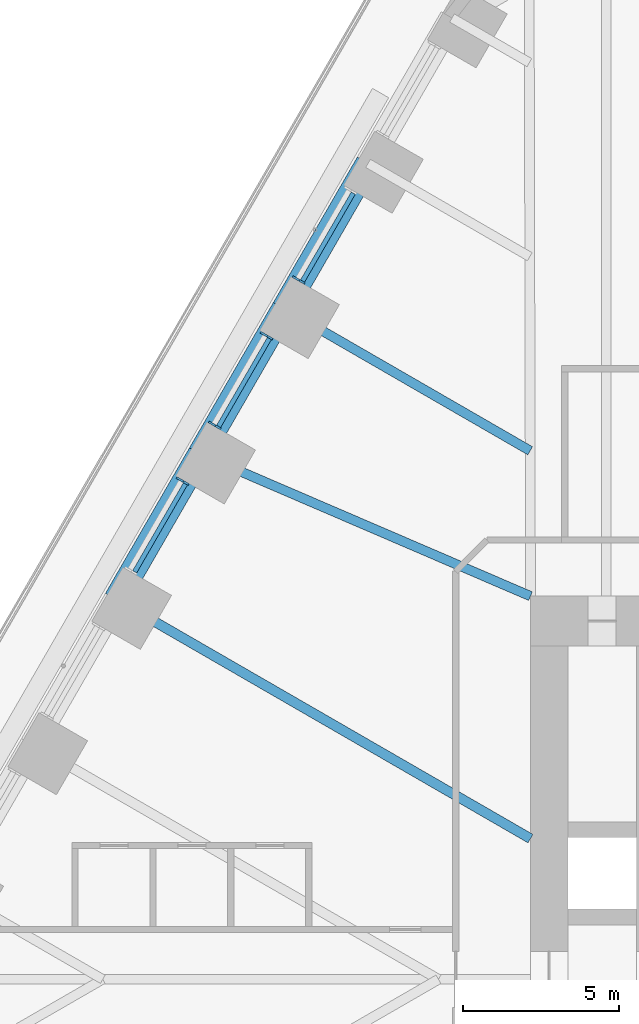
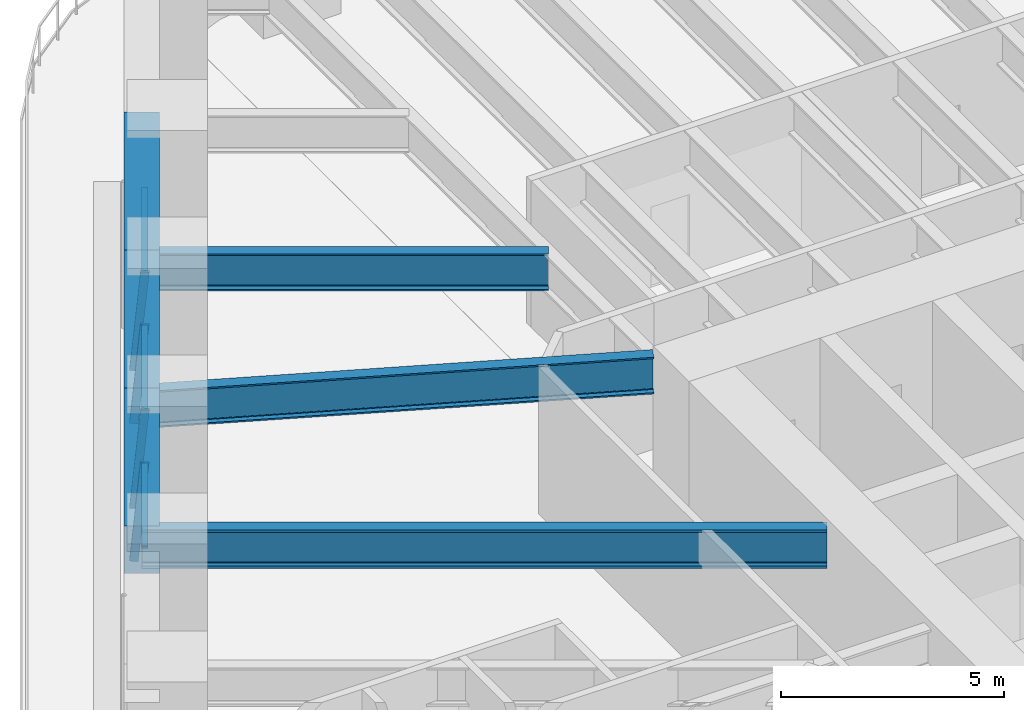
# One storey, part 8 of 23: 7 members, 6 beams, 3 elements without a shape of their own.
"""IFC4 building model written with IfcOpenShell, lengths in metres."""

from ifc_helpers import new_model, si_unit, direction, frame, origin, origin_2d, place, context, subcontext, project, spatial, rectangle, i_section, extrude, material, material_profile, profile_set, type_object, element, aggregate, save


model = new_model("IFC4")

# Units and contexts
model_context = context("Model", 3, precision=1e-05, world=origin(), true_north=direction((0.0, 1.0)))
body_context = subcontext(model_context, "Body", "Model", "MODEL_VIEW")
ifc_project = project(units=[si_unit("LENGTHUNIT", "METRE"), si_unit("AREAUNIT", "SQUARE_METRE"), si_unit("VOLUMEUNIT", "CUBIC_METRE"), si_unit("PLANEANGLEUNIT", "RADIAN"), si_unit("MASSUNIT", "GRAM", prefix="KILO")], contexts=[model_context])

# Site, building, storey
site_placement = place(None, origin())
site = spatial("IfcSite", under=ifc_project, at=site_placement, CompositionType="ELEMENT")
building_placement = place(site_placement, origin())
building = spatial("IfcBuilding", under=site, at=building_placement, Name="Tarfa Lantern Tower", CompositionType="ELEMENT")
storey_placement = place(building_placement, frame((0.0, 0.0, 61.300048828125)))
storey = spatial("IfcBuildingStorey", under=building, at=storey_placement, Name="L13", CompositionType="ELEMENT", Elevation=61.300048828125)

# Curtain wall, member
ifc_material_1 = material(Name="Aluminium framed curtain wall", Category="aluminium")
curtain_wall_type = type_object("IfcCurtainWallType", Name="CW1 CANTED GLAZING LOW ZONE 2700", PredefinedType="USERDEFINED", material=ifc_material_1)
curtain_wall_1_placement = place(storey_placement, origin())
curtain_wall_1 = element("IfcCurtainWall", 1, at=curtain_wall_1_placement, inside=storey, type_object=curtain_wall_type, Name="CW1 NW L13", ObjectType="CURTAIN WALL", PredefinedType="USERDEFINED")
ifc_material_2 = material(Name="Aluminium mullion", Category="aluminium")
ifc_material_profile_1 = material_profile(ifc_material_2, rectangle(XDim=0.06494140625, YDim=0.199951171875, at=origin_2d()), Name="AL MULLION 65x200")
ifc_profile_set_1 = profile_set([ifc_material_profile_1], Name="Aluminium mullion")
member_type_1 = type_object("IfcMemberType", Name="CWM1 MULLION 65x200", PredefinedType="MULLION", material=ifc_profile_set_1)
member_1_placement = place(storey_placement, frame((-26.147705078125, 22.5107421875, 0.0), z_axis=(0.07986442134, -0.046099868913, 0.99573916077), x_axis=(0.499919672301, 0.866071776036, 0.0)))
member_1 = element("IfcMember", 2, at=member_1_placement, type_object=member_type_1, Name="CW1 mullion 2", PredefinedType="MULLION", context=body_context, shape_type="SweptSolid", body=[
    extrude(rectangle(XDim=0.06494140625, YDim=0.199951171875, at=origin_2d()), origin(), (0.0, 0.0, 1.0), 2.71142578125),
])

# Curtain wall, members
curtain_wall_2_placement = place(storey_placement, origin())
curtain_wall_2 = element("IfcCurtainWall", 3, at=curtain_wall_2_placement, inside=storey, type_object=curtain_wall_type, Name="CW1 NW L13", ObjectType="CURTAIN WALL", PredefinedType="USERDEFINED")
member_2_placement = place(storey_placement, frame((-27.18017578125, 20.722412109375, 0.0), z_axis=(0.07986442134, -0.046099868913, 0.99573916077), x_axis=(0.499919672301, 0.866071776036, 0.0)))
member_2 = element("IfcMember", 4, at=member_2_placement, type_object=member_type_1, Name="CW1 mullion 1", PredefinedType="MULLION", context=body_context, shape_type="SweptSolid", body=[
    extrude(rectangle(XDim=0.06494140625, YDim=0.199951171875, at=origin_2d()), origin(), (0.0, 0.0, 1.0), 2.71142578125),
])
member_3_placement = place(storey_placement, frame((-28.842041015625, 17.84423828125, 0.0), z_axis=(0.07986442134, -0.046099868913, 0.99573916077), x_axis=(0.499919672301, 0.866071776036, 0.0)))
member_3 = element("IfcMember", 5, at=member_3_placement, type_object=member_type_1, Name="CW1 mullion 2", PredefinedType="MULLION", context=body_context, shape_type="SweptSolid", body=[
    extrude(rectangle(XDim=0.06494140625, YDim=0.199951171875, at=origin_2d()), origin(), (0.0, 0.0, 1.0), 2.71142578125),
])

# Curtain wall, member
curtain_wall_3_placement = place(storey_placement, origin())
curtain_wall_3 = element("IfcCurtainWall", 6, at=curtain_wall_3_placement, inside=storey, type_object=curtain_wall_type, Name="CW1 NW L13", ObjectType="CURTAIN WALL", PredefinedType="USERDEFINED")
member_4_placement = place(storey_placement, frame((-29.87451171875, 16.055908203125, 0.0), z_axis=(0.07986442134, -0.046099868913, 0.99573916077), x_axis=(0.499919672301, 0.866071776036, 0.0)))
member_4 = element("IfcMember", 7, at=member_4_placement, type_object=member_type_1, Name="CW1 mullion 1", PredefinedType="MULLION", context=body_context, shape_type="SweptSolid", body=[
    extrude(rectangle(XDim=0.06494140625, YDim=0.199951171875, at=origin_2d()), origin(), (0.0, 0.0, 1.0), 2.71142578125),
])

# Member
ifc_material_3 = material(Name="Aluminium transom", Category="aluminium")
ifc_material_profile_2 = material_profile(ifc_material_3, rectangle(XDim=0.14990234375, YDim=0.06494140625, at=origin_2d()), Name="AL TRANSOM 150x65")
ifc_profile_set_2 = profile_set([ifc_material_profile_2], Name="Aluminium transom")
member_type_2 = type_object("IfcMemberType", Name="CWT1 TRANSOM 150x65", PredefinedType="USERDEFINED", material=ifc_profile_set_2)
member_5_placement = place(storey_placement, frame((-24.288330078125, 25.237548828125, 2.66748046875), z_axis=(-0.499966746847, -0.86604460165, 0.0), x_axis=(0.86604460165, -0.499966746847, 0.0)))
member_5 = element("IfcMember", 8, at=member_5_placement, type_object=member_type_2, Name="CW1 transom 1.2", ObjectType="TRANSOM", PredefinedType="USERDEFINED", context=body_context, shape_type="SweptSolid", body=[
    extrude(rectangle(XDim=0.14990234375, YDim=0.06494140625, at=origin_2d()), origin(), (0.0, 0.0, 1.0), 3.258544921875),
])

aggregate(curtain_wall_1, [member_1, member_5])

member_6_placement = place(storey_placement, frame((-26.982666015625, 20.57080078125, 2.66748046875), z_axis=(-0.499966746847, -0.86604460165, 0.0), x_axis=(0.86604460165, -0.499966746847, 0.0)))
member_6 = element("IfcMember", 9, at=member_6_placement, type_object=member_type_2, Name="CW1 transom 1.2", ObjectType="TRANSOM", PredefinedType="USERDEFINED", context=body_context, shape_type="SweptSolid", body=[
    extrude(rectangle(XDim=0.14990234375, YDim=0.06494140625, at=origin_2d()), origin(), (0.0, 0.0, 1.0), 3.258544921875),
])

aggregate(curtain_wall_2, [member_2, member_3, member_6])

member_7_placement = place(storey_placement, frame((-29.6767578125, 15.904296875, 2.66748046875), z_axis=(-0.500022939057, -0.866012159509, 0.0), x_axis=(0.866012159509, -0.500022939057, 0.0)))
member_7 = element("IfcMember", 10, at=member_7_placement, type_object=member_type_2, Name="CW1 transom 1.2", ObjectType="TRANSOM", PredefinedType="USERDEFINED", context=body_context, shape_type="SweptSolid", body=[
    extrude(rectangle(XDim=0.14990234375, YDim=0.06494140625, at=origin_2d()), origin(), (0.0, 0.0, 1.0), 3.258544921875),
])

aggregate(curtain_wall_3, [member_4, member_7])

# Beams
ifc_material_4 = material(Name="Concrete C80/95", Category="concrete")
ifc_material_profile_3 = material_profile(ifc_material_4, rectangle(XDim=0.800048828125, YDim=1.300048828125, at=origin_2d()), Name="RC 800x1300")
ifc_profile_set_3 = profile_set([ifc_material_profile_3], Name="Concrete C80/95")
beam_type_1 = type_object("IfcBeamType", Name="EB1 RC 800x1300", PredefinedType="SPANDREL", material=ifc_profile_set_3)
beam_1_placement = place(storey_placement, frame((-23.813720703125, 26.193359375, 3.349853515625), z_axis=(-0.499998287579, -0.866026392449, 0.0), x_axis=(0.866026392449, -0.499998287579, 0.0)))
element("IfcBeam", 11, at=beam_1_placement, inside=storey, type_object=beam_type_1, Name="Edge beam NW1", PredefinedType="SPANDREL", context=body_context, shape_type="SweptSolid", body=[
    extrude(rectangle(XDim=0.800048828125, YDim=1.300048828125, at=origin_2d()), origin(), (0.0, 0.0, 1.0), 5.388671875),
])
beam_2_placement = place(storey_placement, frame((-26.508056640625, 21.526611328125, 3.349853515625), z_axis=(-0.500017906299, -0.866015065331, 0.0), x_axis=(0.866015065331, -0.500017906299, 0.0)))
element("IfcBeam", 12, at=beam_2_placement, inside=storey, type_object=beam_type_1, Name="Edge beam NW2", PredefinedType="SPANDREL", context=body_context, shape_type="SweptSolid", body=[
    extrude(rectangle(XDim=0.800048828125, YDim=1.300048828125, at=origin_2d()), origin(), (0.0, 0.0, 1.0), 5.388427734375),
])
beam_3_placement = place(storey_placement, frame((-29.202392578125, 16.860107421875, 3.349853515625), z_axis=(-0.499998287579, -0.866026392449, 0.0), x_axis=(0.866026392449, -0.499998287579, 0.0)))
element("IfcBeam", 13, at=beam_3_placement, inside=storey, type_object=beam_type_1, Name="Edge beam NW3", PredefinedType="SPANDREL", context=body_context, shape_type="SweptSolid", body=[
    extrude(rectangle(XDim=0.800048828125, YDim=1.300048828125, at=origin_2d()), origin(), (0.0, 0.0, 1.0), 5.388671875),
])
ifc_material_5 = material(Name="Steel S460M", Category="steel")
ifc_material_profile_4 = material_profile(ifc_material_5, i_section(OverallWidth=0.302001953125, OverallDepth=1.008056640625, WebThickness=0.02099609375, FlangeThickness=0.0400390625, FilletRadius=0.030029296875, at=origin_2d()), Name="UB1016x305x349")
ifc_profile_set_4 = profile_set([ifc_material_profile_4], Name="Steel S460M")
beam_type_2 = type_object("IfcBeamType", Name="UB1016x305x349", PredefinedType="BEAM", material=ifc_profile_set_4)
beam_4_placement = place(storey_placement, frame((-26.508056640625, 21.526611328125, 3.495849609375), z_axis=(0.866035355799, -0.49998276221, 0.0), x_axis=(0.49998276221, 0.866035355799, 0.0)))
element("IfcBeam", 14, at=beam_4_placement, inside=storey, type_object=beam_type_2, Name="Floor beam NW2", PredefinedType="BEAM", context=body_context, shape_type="SweptSolid", body=[
    extrude(i_section(OverallWidth=0.302001953125, OverallDepth=1.008056640625, WebThickness=0.02099609375, FlangeThickness=0.0400390625, FilletRadius=0.030029296875, at=origin_2d()), origin(), (0.0, 0.0, 1.0), 9.119873046875),
])
beam_5_placement = place(storey_placement, frame((-29.202392578125, 16.860107421875, 3.495849609375), z_axis=(0.918635483867, -0.395106122175, 0.0), x_axis=(0.395106122175, 0.918635483867, 0.0)))
element("IfcBeam", 15, at=beam_5_placement, inside=storey, type_object=beam_type_2, Name="Floor beam NW3", PredefinedType="BEAM", context=body_context, shape_type="SweptSolid", body=[
    extrude(i_section(OverallWidth=0.302001953125, OverallDepth=1.008056640625, WebThickness=0.02099609375, FlangeThickness=0.0400390625, FilletRadius=0.030029296875, at=origin_2d()), origin(), (0.0, 0.0, 1.0), 11.541259765625),
])
ifc_material_profile_5 = material_profile(ifc_material_5, i_section(OverallWidth=0.314208984375, OverallDepth=1.055908203125, WebThickness=0.035888671875, FlangeThickness=0.06396484375, FilletRadius=0.030029296875, at=origin_2d()), Name="UB1016x305x584")
ifc_profile_set_5 = profile_set([ifc_material_profile_5], Name="Steel S460M")
beam_type_3 = type_object("IfcBeamType", Name="UB1016x305x584", PredefinedType="BEAM", material=ifc_profile_set_5)
beam_6_placement = place(storey_placement, frame((-31.896728515625, 12.193359375, 3.471923828125), z_axis=(0.866026971665, -0.499997284341, 0.0), x_axis=(0.499997284341, 0.866026971665, 0.0)))
element("IfcBeam", 16, at=beam_6_placement, inside=storey, type_object=beam_type_3, Name="Floor beam NW4", PredefinedType="BEAM", context=body_context, shape_type="SweptSolid", body=[
    extrude(i_section(OverallWidth=0.314208984375, OverallDepth=1.055908203125, WebThickness=0.035888671875, FlangeThickness=0.06396484375, FilletRadius=0.030029296875, at=origin_2d()), origin(), (0.0, 0.0, 1.0), 15.353515625),
])

save(model, "model.ifc")
